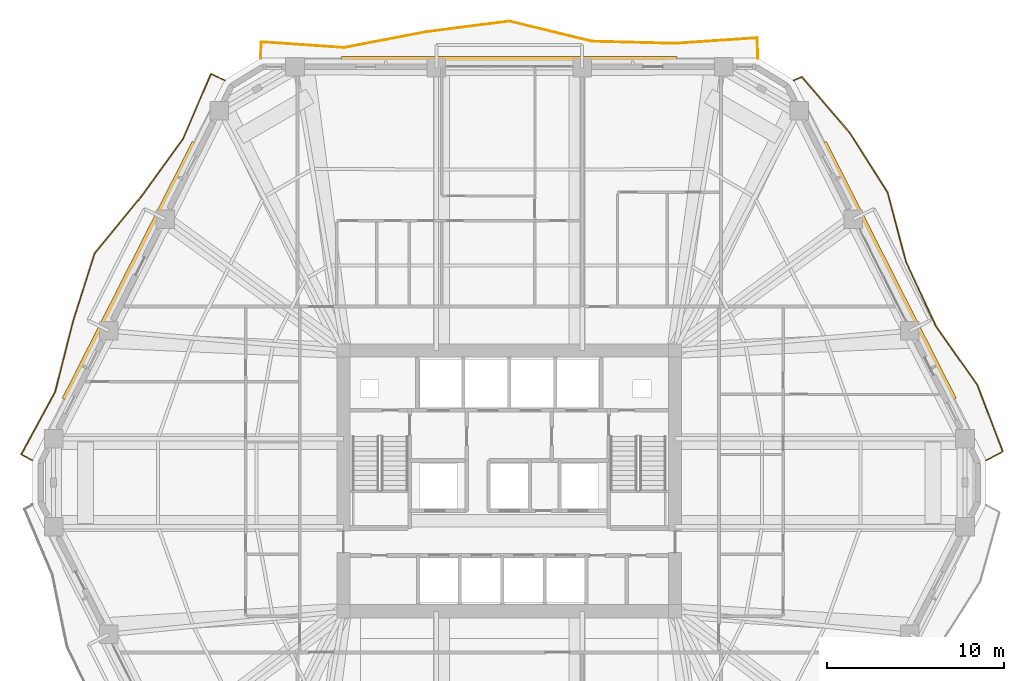
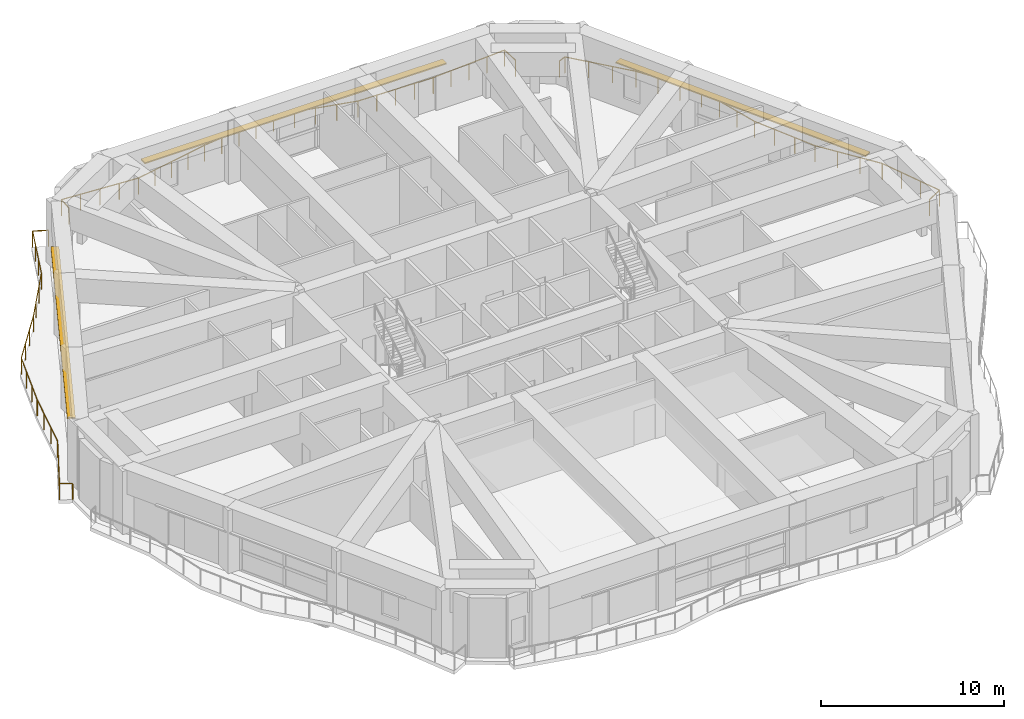
# One storey, part 23 of 23: 3 railings, 3 shading devices.
"""IFC4 building model written with IfcOpenShell, lengths in metres."""

from ifc_helpers import new_model, si_unit, direction, frame, origin, origin_2d, place, context, subcontext, project, spatial, rectangle, extrude, material, layer, layer_set, type_object, element, save


model = new_model("IFC4")

# Units and contexts
model_context = context("Model", 3, precision=1e-05, world=origin(), true_north=direction((0.0, 1.0)))
body_context = subcontext(model_context, "Body", "Model", "MODEL_VIEW")
ifc_project = project(units=[si_unit("LENGTHUNIT", "METRE"), si_unit("AREAUNIT", "SQUARE_METRE"), si_unit("VOLUMEUNIT", "CUBIC_METRE"), si_unit("PLANEANGLEUNIT", "RADIAN"), si_unit("MASSUNIT", "GRAM", prefix="KILO")], contexts=[model_context])

# Site, building, storey
site_placement = place(None, origin())
site = spatial("IfcSite", under=ifc_project, at=site_placement, CompositionType="ELEMENT")
building_placement = place(site_placement, origin())
building = spatial("IfcBuilding", under=site, at=building_placement, Name="Cinnabar Lancet Tower", CompositionType="ELEMENT")
storey_placement = place(building_placement, frame((0.0, 0.0, 94.199951171875)))
storey = spatial("IfcBuildingStorey", under=building, at=storey_placement, Name="L24", CompositionType="ELEMENT", Elevation=94.199951171875)

# Railings
ifc_material_1 = material(Name="Laminated safety glass and bronze stainless steel balustrade", Category="steel")
railing_type = type_object("IfcRailingType", Name="ENV-RLG-BAL-1100", PredefinedType="BALUSTRADE", material=ifc_material_1)
railing_1_placement = place(storey_placement, frame((59.367919921875, 27.049072265625, 0.0)))
element("IfcRailing", 1, at=railing_1_placement, inside=storey, type_object=railing_type, Name="L24 Face 3 Wave Balcony Balustrade", PredefinedType="BALUSTRADE", context=body_context, shape_type="SweptSolid", body=[
    extrude(rectangle(XDim=0.048095703125, YDim=0.048095703125, at=origin_2d()), frame((0.0, 0.0, 1.076171875), z_axis=(0.880131800354, 0.474729411354, 0.0), x_axis=(-0.474729411354, 0.880131800354, 0.0)), (0.0, 0.0, 1.0), 1.0634765625),
    extrude(rectangle(XDim=0.048095703125, YDim=0.048095703125, at=origin_2d()), frame((0.93603515625, 0.5048828125, 1.076171875), z_axis=(-0.356967947208, 0.934116633331, 0.0), x_axis=(-0.934116633331, -0.356967947208, 0.0)), (0.0, 0.0, 1.0), 4.0283203125),
    extrude(rectangle(XDim=0.048095703125, YDim=0.048095703125, at=origin_2d()), frame((-0.501953125, 4.267822265625, 1.076171875), z_axis=(-0.576541184081, 0.81706808961, 0.0), x_axis=(-0.81706808961, -0.576541184081, 0.0)), (0.0, 0.0, 1.0), 4.050048828125),
    extrude(rectangle(XDim=0.048095703125, YDim=0.048095703125, at=origin_2d()), frame((-2.8369140625, 7.576904296875, 1.076171875), z_axis=(-0.422598550653, 0.906316978207, 0.0), x_axis=(-0.906316978207, -0.422598550653, 0.0)), (0.0, 0.0, 1.0), 4.00634765625),
    extrude(rectangle(XDim=0.048095703125, YDim=0.048095703125, at=origin_2d()), frame((-4.530029296875, 11.2080078125, 1.076171875), z_axis=(-0.256311956673, 0.966594113817, 0.0), x_axis=(-0.966594113817, -0.256311956673, 0.0)), (0.0, 0.0, 1.0), 4.095703125),
    extrude(rectangle(XDim=0.048095703125, YDim=0.048095703125, at=origin_2d()), frame((-5.579833984375, 15.1669921875, 1.076171875), z_axis=(-0.537510987359, 0.843256745285, 0.0), x_axis=(-0.843256745285, -0.537510987359, 0.0)), (0.0, 0.0, 1.0), 4.026123046875),
    extrude(rectangle(XDim=0.048095703125, YDim=0.048095703125, at=origin_2d()), frame((-7.743896484375, 18.56201171875, 1.076171875), z_axis=(-0.650206293404, 0.759757708759, 0.0), x_axis=(-0.759757708759, -0.650206293404, 0.0)), (0.0, 0.0, 1.0), 4.125),
    extrude(rectangle(XDim=0.048095703125, YDim=0.048095703125, at=origin_2d()), frame((-10.426025390625, 21.696044921875, 1.076171875), z_axis=(-0.919451740779, -0.393202869241, 0.0), x_axis=(0.393202869241, -0.919451740779, 0.0)), (0.0, 0.0, 1.0), 0.49365234375),
    extrude(rectangle(XDim=0.0419921875, YDim=0.0419921875, at=origin_2d()), origin(), (0.0, 0.0, 1.0), 1.052001953125),
    extrude(rectangle(XDim=0.0419921875, YDim=0.0419921875, at=origin_2d()), frame((0.93603515625, 0.5048828125, 0.0)), (0.0, 0.0, 1.0), 1.052001953125),
    extrude(rectangle(XDim=0.0419921875, YDim=0.0419921875, at=origin_2d()), frame((0.456787109375, 1.75927734375, 0.0)), (0.0, 0.0, 1.0), 1.052001953125),
    extrude(rectangle(XDim=0.0419921875, YDim=0.0419921875, at=origin_2d()), frame((-0.022705078125, 3.013427734375, 0.0)), (0.0, 0.0, 1.0), 1.052001953125),
    extrude(rectangle(XDim=0.0419921875, YDim=0.0419921875, at=origin_2d()), frame((-0.501953125, 4.267822265625, 0.0)), (0.0, 0.0, 1.0), 1.052001953125),
    extrude(rectangle(XDim=0.0419921875, YDim=0.0419921875, at=origin_2d()), frame((-1.2802734375, 5.370849609375, 0.0)), (0.0, 0.0, 1.0), 1.052001953125),
    extrude(rectangle(XDim=0.0419921875, YDim=0.0419921875, at=origin_2d()), frame((-2.05859375, 6.473876953125, 0.0)), (0.0, 0.0, 1.0), 1.052001953125),
    extrude(rectangle(XDim=0.0419921875, YDim=0.0419921875, at=origin_2d()), frame((-2.8369140625, 7.576904296875, 0.0)), (0.0, 0.0, 1.0), 1.052001953125),
    extrude(rectangle(XDim=0.0419921875, YDim=0.0419921875, at=origin_2d()), frame((-3.4013671875, 8.787353515625, 0.0)), (0.0, 0.0, 1.0), 1.052001953125),
    extrude(rectangle(XDim=0.0419921875, YDim=0.0419921875, at=origin_2d()), frame((-3.965576171875, 9.99755859375, 0.0)), (0.0, 0.0, 1.0), 1.052001953125),
    extrude(rectangle(XDim=0.0419921875, YDim=0.0419921875, at=origin_2d()), frame((-4.530029296875, 11.2080078125, 0.0)), (0.0, 0.0, 1.0), 1.052001953125),
    extrude(rectangle(XDim=0.0419921875, YDim=0.0419921875, at=origin_2d()), frame((-4.8798828125, 12.527587890625, 0.0)), (0.0, 0.0, 1.0), 1.052001953125),
    extrude(rectangle(XDim=0.0419921875, YDim=0.0419921875, at=origin_2d()), frame((-5.22998046875, 13.847412109375, 0.0)), (0.0, 0.0, 1.0), 1.052001953125),
    extrude(rectangle(XDim=0.0419921875, YDim=0.0419921875, at=origin_2d()), frame((-5.579833984375, 15.1669921875, 0.0)), (0.0, 0.0, 1.0), 1.052001953125),
    extrude(rectangle(XDim=0.0419921875, YDim=0.0419921875, at=origin_2d()), frame((-6.30126953125, 16.298583984375, 0.0)), (0.0, 0.0, 1.0), 1.052001953125),
    extrude(rectangle(XDim=0.0419921875, YDim=0.0419921875, at=origin_2d()), frame((-7.0224609375, 17.430419921875, 0.0)), (0.0, 0.0, 1.0), 1.052001953125),
    extrude(rectangle(XDim=0.0419921875, YDim=0.0419921875, at=origin_2d()), frame((-7.743896484375, 18.56201171875, 0.0)), (0.0, 0.0, 1.0), 1.052001953125),
    extrude(rectangle(XDim=0.0419921875, YDim=0.0419921875, at=origin_2d()), frame((-8.637939453125, 19.606689453125, 0.0)), (0.0, 0.0, 1.0), 1.052001953125),
    extrude(rectangle(XDim=0.0419921875, YDim=0.0419921875, at=origin_2d()), frame((-9.531982421875, 20.6513671875, 0.0)), (0.0, 0.0, 1.0), 1.052001953125),
    extrude(rectangle(XDim=0.0419921875, YDim=0.0419921875, at=origin_2d()), frame((-10.426025390625, 21.696044921875, 0.0)), (0.0, 0.0, 1.0), 1.052001953125),
    extrude(rectangle(XDim=0.0419921875, YDim=0.0419921875, at=origin_2d()), frame((-10.8798828125, 21.501953125, 0.0)), (0.0, 0.0, 1.0), 1.052001953125),
])
railing_2_placement = place(storey_placement, frame((46.4560546875, 49.800048828125, 0.0)))
element("IfcRailing", 2, at=railing_2_placement, inside=storey, type_object=railing_type, Name="L24 Face 4 Wave Balcony Balustrade", PredefinedType="BALUSTRADE", context=body_context, shape_type="SweptSolid", body=[
    extrude(rectangle(XDim=0.048095703125, YDim=0.048095703125, at=origin_2d()), frame((0.0, 0.0, 1.076171875), z_axis=(-0.029599296215, 0.999561844842, 0.0), x_axis=(-0.999561844842, -0.029599296215, 0.0)), (0.0, 0.0, 1.0), 1.146484375),
    extrude(rectangle(XDim=0.048095703125, YDim=0.048095703125, at=origin_2d()), frame((-0.033935546875, 1.14599609375, 1.076171875), z_axis=(-0.997767373301, -0.066785243699, 0.0), x_axis=(0.066785243699, -0.997767373301, 0.0)), (0.0, 0.0, 1.0), 4.6865234375),
    extrude(rectangle(XDim=0.048095703125, YDim=0.048095703125, at=origin_2d()), frame((-4.7099609375, 0.8330078125, 1.076171875), z_axis=(-0.999681912743, 0.025220494325, 0.0), x_axis=(-0.025220494325, -0.999681912743, 0.0)), (0.0, 0.0, 1.0), 4.675537109375),
    extrude(rectangle(XDim=0.048095703125, YDim=0.048095703125, at=origin_2d()), frame((-9.384033203125, 0.950927734375, 1.076171875), z_axis=(-0.971596971186, 0.236641766353, 0.0), x_axis=(-0.236641766353, -0.971596971186, 0.0)), (0.0, 0.0, 1.0), 4.80859375),
    extrude(rectangle(XDim=0.048095703125, YDim=0.048095703125, at=origin_2d()), frame((-14.05615234375, 2.0888671875, 1.076171875), z_axis=(-0.991962105065, -0.126535299878, 0.0), x_axis=(0.126535299878, -0.991962105065, 0.0)), (0.0, 0.0, 1.0), 4.709716796875),
    extrude(rectangle(XDim=0.048095703125, YDim=0.048095703125, at=origin_2d()), frame((-18.72802734375, 1.492919921875, 1.076171875), z_axis=(-0.982079915206, -0.18846495735, 0.0), x_axis=(0.18846495735, -0.982079915206, 0.0)), (0.0, 0.0, 1.0), 4.75927734375),
    extrude(rectangle(XDim=0.048095703125, YDim=0.048095703125, at=origin_2d()), frame((-23.402099609375, 0.595947265625, 1.076171875), z_axis=(-0.997637104235, 0.068703771758, 0.0), x_axis=(-0.068703771758, -0.997637104235, 0.0)), (0.0, 0.0, 1.0), 4.68701171875),
    extrude(rectangle(XDim=0.048095703125, YDim=0.048095703125, at=origin_2d()), frame((-28.078125, 0.91796875, 1.076171875), z_axis=(-0.03694284995, -0.999317379934, 0.0), x_axis=(0.999317379934, -0.03694284995, 0.0)), (0.0, 0.0, 1.0), 0.918701171875),
    extrude(rectangle(XDim=0.0419921875, YDim=0.0419921875, at=origin_2d()), origin(), (0.0, 0.0, 1.0), 1.052001953125),
    extrude(rectangle(XDim=0.0419921875, YDim=0.0419921875, at=origin_2d()), frame((-0.033935546875, 1.14599609375, 0.0)), (0.0, 0.0, 1.0), 1.052001953125),
    extrude(rectangle(XDim=0.0419921875, YDim=0.0419921875, at=origin_2d()), frame((-1.202880859375, 1.06787109375, 0.0)), (0.0, 0.0, 1.0), 1.052001953125),
    extrude(rectangle(XDim=0.0419921875, YDim=0.0419921875, at=origin_2d()), frame((-2.3720703125, 0.989501953125, 0.0)), (0.0, 0.0, 1.0), 1.052001953125),
    extrude(rectangle(XDim=0.0419921875, YDim=0.0419921875, at=origin_2d()), frame((-3.541015625, 0.9111328125, 0.0)), (0.0, 0.0, 1.0), 1.052001953125),
    extrude(rectangle(XDim=0.0419921875, YDim=0.0419921875, at=origin_2d()), frame((-4.7099609375, 0.8330078125, 0.0)), (0.0, 0.0, 1.0), 1.052001953125),
    extrude(rectangle(XDim=0.0419921875, YDim=0.0419921875, at=origin_2d()), frame((-5.87841796875, 0.862548828125, 0.0)), (0.0, 0.0, 1.0), 1.052001953125),
    extrude(rectangle(XDim=0.0419921875, YDim=0.0419921875, at=origin_2d()), frame((-7.046875, 0.89208984375, 0.0)), (0.0, 0.0, 1.0), 1.052001953125),
    extrude(rectangle(XDim=0.0419921875, YDim=0.0419921875, at=origin_2d()), frame((-8.215576171875, 0.92138671875, 0.0)), (0.0, 0.0, 1.0), 1.052001953125),
    extrude(rectangle(XDim=0.0419921875, YDim=0.0419921875, at=origin_2d()), frame((-9.384033203125, 0.950927734375, 0.0)), (0.0, 0.0, 1.0), 1.052001953125),
    extrude(rectangle(XDim=0.0419921875, YDim=0.0419921875, at=origin_2d()), frame((-10.552001953125, 1.2353515625, 0.0)), (0.0, 0.0, 1.0), 1.052001953125),
    extrude(rectangle(XDim=0.0419921875, YDim=0.0419921875, at=origin_2d()), frame((-11.72021484375, 1.52001953125, 0.0)), (0.0, 0.0, 1.0), 1.052001953125),
    extrude(rectangle(XDim=0.0419921875, YDim=0.0419921875, at=origin_2d()), frame((-12.88818359375, 1.804443359375, 0.0)), (0.0, 0.0, 1.0), 1.052001953125),
    extrude(rectangle(XDim=0.0419921875, YDim=0.0419921875, at=origin_2d()), frame((-14.05615234375, 2.0888671875, 0.0)), (0.0, 0.0, 1.0), 1.052001953125),
    extrude(rectangle(XDim=0.0419921875, YDim=0.0419921875, at=origin_2d()), frame((-15.22412109375, 1.93994140625, 0.0)), (0.0, 0.0, 1.0), 1.052001953125),
    extrude(rectangle(XDim=0.0419921875, YDim=0.0419921875, at=origin_2d()), frame((-16.39208984375, 1.791015625, 0.0)), (0.0, 0.0, 1.0), 1.052001953125),
    extrude(rectangle(XDim=0.0419921875, YDim=0.0419921875, at=origin_2d()), frame((-17.56005859375, 1.641845703125, 0.0)), (0.0, 0.0, 1.0), 1.052001953125),
    extrude(rectangle(XDim=0.0419921875, YDim=0.0419921875, at=origin_2d()), frame((-18.72802734375, 1.492919921875, 0.0)), (0.0, 0.0, 1.0), 1.052001953125),
    extrude(rectangle(XDim=0.0419921875, YDim=0.0419921875, at=origin_2d()), frame((-19.896484375, 1.2685546875, 0.0)), (0.0, 0.0, 1.0), 1.052001953125),
    extrude(rectangle(XDim=0.0419921875, YDim=0.0419921875, at=origin_2d()), frame((-21.06494140625, 1.04443359375, 0.0)), (0.0, 0.0, 1.0), 1.052001953125),
    extrude(rectangle(XDim=0.0419921875, YDim=0.0419921875, at=origin_2d()), frame((-22.233642578125, 0.8203125, 0.0)), (0.0, 0.0, 1.0), 1.052001953125),
    extrude(rectangle(XDim=0.0419921875, YDim=0.0419921875, at=origin_2d()), frame((-23.402099609375, 0.595947265625, 0.0)), (0.0, 0.0, 1.0), 1.052001953125),
    extrude(rectangle(XDim=0.0419921875, YDim=0.0419921875, at=origin_2d()), frame((-24.571044921875, 0.676513671875, 0.0)), (0.0, 0.0, 1.0), 1.052001953125),
    extrude(rectangle(XDim=0.0419921875, YDim=0.0419921875, at=origin_2d()), frame((-25.740234375, 0.7568359375, 0.0)), (0.0, 0.0, 1.0), 1.052001953125),
    extrude(rectangle(XDim=0.0419921875, YDim=0.0419921875, at=origin_2d()), frame((-26.9091796875, 0.83740234375, 0.0)), (0.0, 0.0, 1.0), 1.052001953125),
    extrude(rectangle(XDim=0.0419921875, YDim=0.0419921875, at=origin_2d()), frame((-28.078125, 0.91796875, 0.0)), (0.0, 0.0, 1.0), 1.052001953125),
    extrude(rectangle(XDim=0.0419921875, YDim=0.0419921875, at=origin_2d()), frame((-28.112060546875, 0.0, 0.0)), (0.0, 0.0, 1.0), 1.052001953125),
])
railing_3_placement = place(storey_placement, frame((16.31201171875, 48.551025390625, 0.0)))
element("IfcRailing", 3, at=railing_3_placement, inside=storey, type_object=railing_type, Name="L24 Face 5 Wave Balcony Balustrade", PredefinedType="BALUSTRADE", context=body_context, shape_type="SweptSolid", body=[
    extrude(rectangle(XDim=0.048095703125, YDim=0.048095703125, at=origin_2d()), frame((0.0, 0.0, 1.076171875), z_axis=(-0.908281995923, 0.418358477723, 0.0), x_axis=(-0.418358477723, -0.908281995923, 0.0)), (0.0, 0.0, 1.0), 0.863037109375),
    extrude(rectangle(XDim=0.048095703125, YDim=0.048095703125, at=origin_2d()), frame((-0.783935546875, 0.361083984375, 1.076171875), z_axis=(-0.393148884227, -0.919474825556, 0.0), x_axis=(0.919474825556, -0.393148884227, 0.0)), (0.0, 0.0, 1.0), 4.0166015625),
    extrude(rectangle(XDim=0.048095703125, YDim=0.048095703125, at=origin_2d()), frame((-2.363037109375, -3.33203125, 1.076171875), z_axis=(-0.587910554812, -0.808925941938, 0.0), x_axis=(0.808925941938, -0.587910554812, 0.0)), (0.0, 0.0, 1.0), 4.058349609375),
    extrude(rectangle(XDim=0.048095703125, YDim=0.048095703125, at=origin_2d()), frame((-4.7490234375, -6.614990234375, 1.076171875), z_axis=(-0.635043869718, -0.772476073114, 0.0), x_axis=(0.772476073114, -0.635043869718, 0.0)), (0.0, 0.0, 1.0), 4.103515625),
    extrude(rectangle(XDim=0.048095703125, YDim=0.048095703125, at=origin_2d()), frame((-7.35498046875, -9.784912109375, 1.076171875), z_axis=(-0.302657219369, -0.953099474118, 0.0), x_axis=(0.953099474118, -0.302657219369, 0.0)), (0.0, 0.0, 1.0), 4.057373046875),
    extrude(rectangle(XDim=0.048095703125, YDim=0.048095703125, at=origin_2d()), frame((-8.5830078125, -13.652099609375, 1.076171875), z_axis=(-0.24603235406, -0.96926161626, 0.0), x_axis=(0.96926161626, -0.24603235406, 0.0)), (0.0, 0.0, 1.0), 4.105224609375),
    extrude(rectangle(XDim=0.048095703125, YDim=0.048095703125, at=origin_2d()), frame((-9.593017578125, -17.631103515625, 1.076171875), z_axis=(-0.477691141712, -0.878527844254, 0.0), x_axis=(0.878527844254, -0.477691141712, 0.0)), (0.0, 0.0, 1.0), 4.009033203125),
    extrude(rectangle(XDim=0.048095703125, YDim=0.048095703125, at=origin_2d()), frame((-11.508056640625, -21.153076171875, 1.076171875), z_axis=(0.874141244122, -0.485671787656, 0.0), x_axis=(0.485671787656, 0.874141244122, 0.0)), (0.0, 0.0, 1.0), 0.71826171875),
    extrude(rectangle(XDim=0.0419921875, YDim=0.0419921875, at=origin_2d()), origin(), (0.0, 0.0, 1.0), 1.052001953125),
    extrude(rectangle(XDim=0.0419921875, YDim=0.0419921875, at=origin_2d()), frame((-0.783935546875, 0.361083984375, 0.0)), (0.0, 0.0, 1.0), 1.052001953125),
    extrude(rectangle(XDim=0.0419921875, YDim=0.0419921875, at=origin_2d()), frame((-1.310302734375, -0.869873046875, 0.0)), (0.0, 0.0, 1.0), 1.052001953125),
    extrude(rectangle(XDim=0.0419921875, YDim=0.0419921875, at=origin_2d()), frame((-1.836669921875, -2.10107421875, 0.0)), (0.0, 0.0, 1.0), 1.052001953125),
    extrude(rectangle(XDim=0.0419921875, YDim=0.0419921875, at=origin_2d()), frame((-2.363037109375, -3.33203125, 0.0)), (0.0, 0.0, 1.0), 1.052001953125),
    extrude(rectangle(XDim=0.0419921875, YDim=0.0419921875, at=origin_2d()), frame((-3.158447265625, -4.42626953125, 0.0)), (0.0, 0.0, 1.0), 1.052001953125),
    extrude(rectangle(XDim=0.0419921875, YDim=0.0419921875, at=origin_2d()), frame((-3.95361328125, -5.520751953125, 0.0)), (0.0, 0.0, 1.0), 1.052001953125),
    extrude(rectangle(XDim=0.0419921875, YDim=0.0419921875, at=origin_2d()), frame((-4.7490234375, -6.614990234375, 0.0)), (0.0, 0.0, 1.0), 1.052001953125),
    extrude(rectangle(XDim=0.0419921875, YDim=0.0419921875, at=origin_2d()), frame((-5.61767578125, -7.671630859375, 0.0)), (0.0, 0.0, 1.0), 1.052001953125),
    extrude(rectangle(XDim=0.0419921875, YDim=0.0419921875, at=origin_2d()), frame((-6.486328125, -8.728271484375, 0.0)), (0.0, 0.0, 1.0), 1.052001953125),
    extrude(rectangle(XDim=0.0419921875, YDim=0.0419921875, at=origin_2d()), frame((-7.35498046875, -9.784912109375, 0.0)), (0.0, 0.0, 1.0), 1.052001953125),
    extrude(rectangle(XDim=0.0419921875, YDim=0.0419921875, at=origin_2d()), frame((-7.764404296875, -11.073974609375, 0.0)), (0.0, 0.0, 1.0), 1.052001953125),
    extrude(rectangle(XDim=0.0419921875, YDim=0.0419921875, at=origin_2d()), frame((-8.173583984375, -12.363037109375, 0.0)), (0.0, 0.0, 1.0), 1.052001953125),
    extrude(rectangle(XDim=0.0419921875, YDim=0.0419921875, at=origin_2d()), frame((-8.5830078125, -13.652099609375, 0.0)), (0.0, 0.0, 1.0), 1.052001953125),
    extrude(rectangle(XDim=0.0419921875, YDim=0.0419921875, at=origin_2d()), frame((-8.919677734375, -14.978515625, 0.0)), (0.0, 0.0, 1.0), 1.052001953125),
    extrude(rectangle(XDim=0.0419921875, YDim=0.0419921875, at=origin_2d()), frame((-9.25634765625, -16.3046875, 0.0)), (0.0, 0.0, 1.0), 1.052001953125),
    extrude(rectangle(XDim=0.0419921875, YDim=0.0419921875, at=origin_2d()), frame((-9.593017578125, -17.631103515625, 0.0)), (0.0, 0.0, 1.0), 1.052001953125),
    extrude(rectangle(XDim=0.0419921875, YDim=0.0419921875, at=origin_2d()), frame((-10.2314453125, -18.80517578125, 0.0)), (0.0, 0.0, 1.0), 1.052001953125),
    extrude(rectangle(XDim=0.0419921875, YDim=0.0419921875, at=origin_2d()), frame((-10.86962890625, -19.97900390625, 0.0)), (0.0, 0.0, 1.0), 1.052001953125),
    extrude(rectangle(XDim=0.0419921875, YDim=0.0419921875, at=origin_2d()), frame((-11.508056640625, -21.153076171875, 0.0)), (0.0, 0.0, 1.0), 1.052001953125),
    extrude(rectangle(XDim=0.0419921875, YDim=0.0419921875, at=origin_2d()), frame((-10.880126953125, -21.501953125, 0.0)), (0.0, 0.0, 1.0), 1.052001953125),
])

# Shading devices
ifc_material_2 = material(Name="Pale limestone architectural aluminium sunshade", Category="masonry")
ifc_layer = layer(ifc_material_2, 0.080078125)
ifc_layer_set = layer_set([ifc_layer], Name="Pale limestone architectural aluminium sunshade")
shading_device_type = type_object("IfcShadingDeviceType", Name="ENV-SHD-LVR-450", PredefinedType="JALOUSIE", material=ifc_layer_set)
shading_device_1_placement = place(storey_placement, frame((53.801025390625, 37.739013671875, 2.639892578125), z_axis=(0.0, 0.0, 1.0), x_axis=(-0.451500573218, 0.892270829056, 0.0)))
element("IfcShadingDevice", 4, at=shading_device_1_placement, inside=storey, type_object=shading_device_type, Name="L24 Face 3 Horizontal Sunshade Canopy", PredefinedType="JALOUSIE", context=body_context, shape_type="SweptSolid", body=[
    extrude(rectangle(XDim=16.27587890625, YDim=0.449951171875, at=origin_2d()), origin(), (0.0, 0.0, 1.0), 0.080078125),
])
shading_device_2_placement = place(storey_placement, frame((32.39990234375, 49.659912109375, 2.639892578125), z_axis=(0.0, 0.0, 1.0), x_axis=(-1.0, 0.0, 0.0)))
element("IfcShadingDevice", 5, at=shading_device_2_placement, inside=storey, type_object=shading_device_type, Name="L24 Face 4 Horizontal Sunshade Canopy", PredefinedType="JALOUSIE", context=body_context, shape_type="SweptSolid", body=[
    extrude(rectangle(XDim=18.990966796875, YDim=0.449951171875, at=origin_2d()), origin(), (0.0, 0.0, 1.0), 0.080078125),
])
shading_device_3_placement = place(storey_placement, frame((10.9990234375, 37.739013671875, 2.639892578125), z_axis=(0.0, 0.0, 1.0), x_axis=(-0.451500573218, -0.892270829056, 0.0)))
element("IfcShadingDevice", 6, at=shading_device_3_placement, inside=storey, type_object=shading_device_type, Name="L24 Face 5 Horizontal Sunshade Canopy", PredefinedType="JALOUSIE", context=body_context, shape_type="SweptSolid", body=[
    extrude(rectangle(XDim=16.27587890625, YDim=0.449951171875, at=origin_2d()), origin(), (0.0, 0.0, 1.0), 0.080078125),
])

save(model, "model.ifc")
